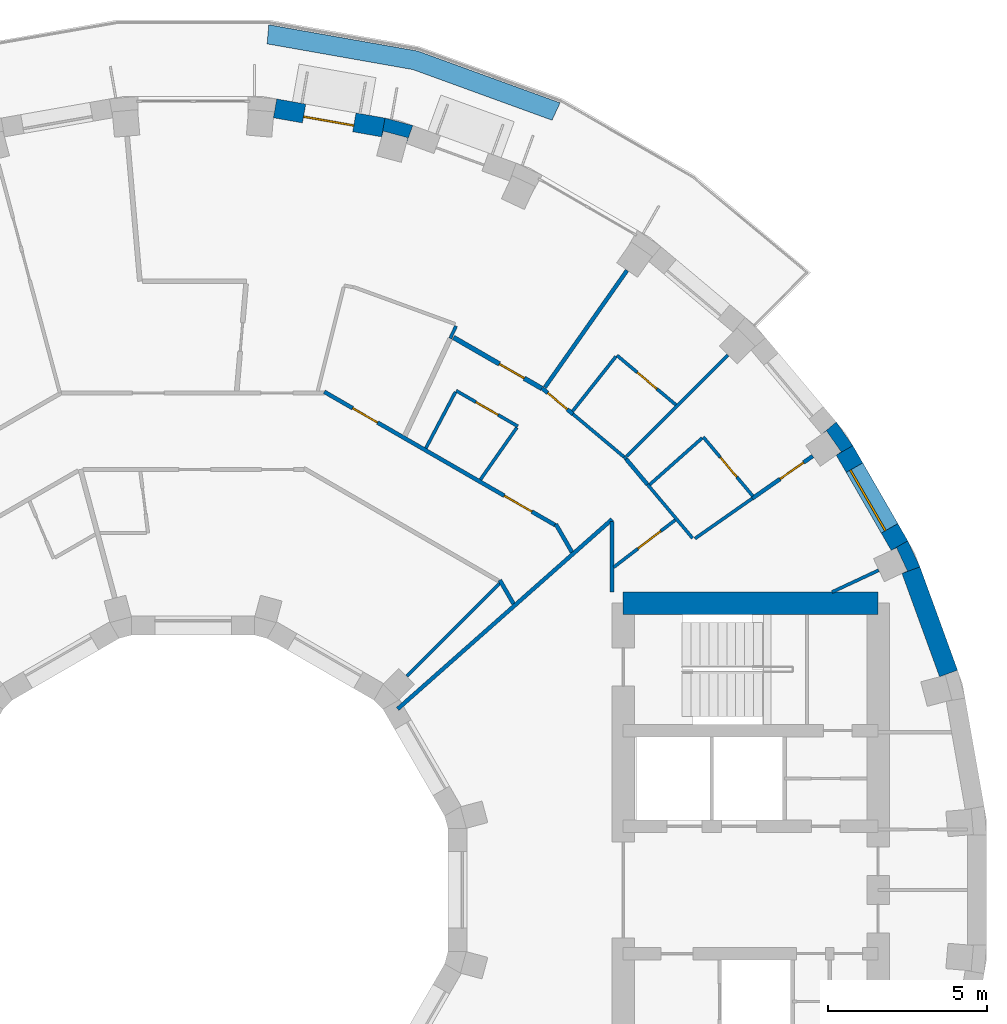
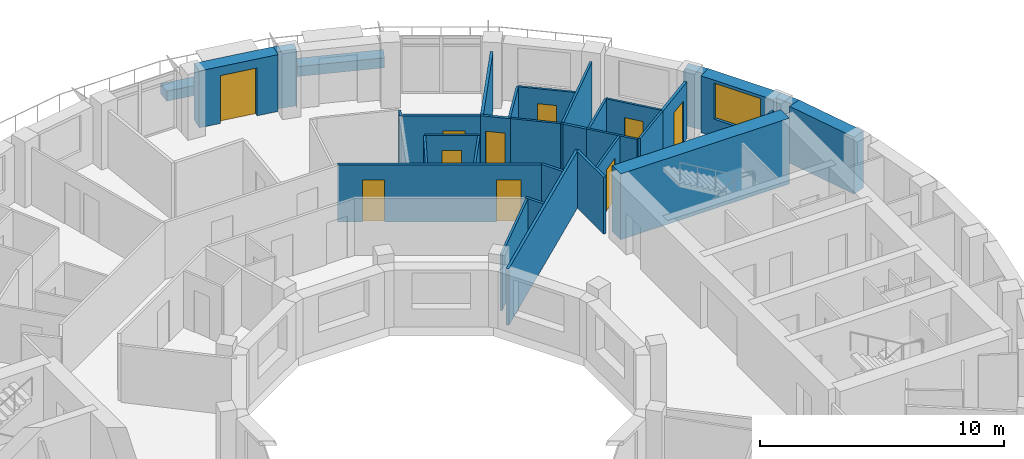
# One storey, part 11 of 13: 34 walls, 10 doors, 1 window, 11 openings.
"""IFC4 building model written with IfcOpenShell, lengths in metres."""

from ifc_helpers import new_model, si_unit, direction, frame, frame_2d, origin, place, context, subcontext, project, spatial, polyline, rectangle, outline, extrude, material, layer, layer_set, type_object, element, fill, save


model = new_model("IFC4")

# Units and contexts
model_context = context("Model", 3, precision=1e-05, world=origin(), true_north=direction((0.0, 1.0)))
body_context = subcontext(model_context, "Body", "Model", "MODEL_VIEW")
ifc_project = project(units=[si_unit("LENGTHUNIT", "METRE"), si_unit("AREAUNIT", "SQUARE_METRE"), si_unit("VOLUMEUNIT", "CUBIC_METRE"), si_unit("PLANEANGLEUNIT", "RADIAN"), si_unit("MASSUNIT", "GRAM", prefix="KILO")], contexts=[model_context])

# Site, building, storey
site_placement = place(None, origin())
site = spatial("IfcSite", under=ifc_project, at=site_placement, CompositionType="ELEMENT")
building_placement = place(site_placement, origin())
building = spatial("IfcBuilding", under=site, at=building_placement, Name="Saqina Gate Tower", CompositionType="ELEMENT")
storey_placement = place(building_placement, frame((0.0, 0.0, 200.39990234375)))
storey = spatial("IfcBuildingStorey", under=building, at=storey_placement, Name="L57", CompositionType="ELEMENT", Elevation=200.39990234375)

# Walls
ifc_material_1 = material(Name="Brick masonry (buff)", Category="masonry")
wall_type_1 = type_object("IfcWallType", Name="BRICK PIER COPING BUFF", PredefinedType="SOLIDWALL", material=ifc_material_1)
wall_1_placement = place(storey_placement, origin())
element("IfcWall", 1, at=wall_1_placement, inside=storey, type_object=wall_type_1, Name="Pier cap L57 column 3", PredefinedType="SOLIDWALL", context=body_context, shape_type="SweptSolid", body=[
    extrude(outline(polyline([(22.4306640625, 10.958740234375), (21.9111328125, 10.65869140625), (22.080810546875, 10.73779296875), (22.4189453125, 10.0126953125), (22.249267578125, 9.93359375), (22.81298828125, 10.138916015625), (22.4306640625, 10.958740234375)])), origin(), (0.0, 0.0, 1.0), 2.85009765625),
])
wall_2_placement = place(storey_placement, origin())
element("IfcWall", 2, at=wall_2_placement, inside=storey, type_object=wall_type_1, Name="Pier cap L57 column 4", PredefinedType="SOLIDWALL", context=body_context, shape_type="SweptSolid", body=[
    extrude(outline(polyline([(20.705810546875, 13.9462890625), (20.18701171875, 14.687255859375), (19.727294921875, 14.301513671875), (19.880859375, 14.408935546875), (20.339599609375, 13.753662109375), (20.186279296875, 13.646240234375), (20.705810546875, 13.9462890625)])), origin(), (0.0, 0.0, 1.0), 2.85009765625),
])
wall_3_placement = place(storey_placement, origin())
element("IfcWall", 3, at=wall_3_placement, inside=storey, type_object=wall_type_1, Name="Pier cap L57 column 8", PredefinedType="SOLIDWALL", context=body_context, shape_type="SweptSolid", body=[
    extrude(outline(polyline([(6.0234375, 24.22705078125), (5.919189453125, 23.635986328125), (5.967529296875, 23.81689453125), (6.740478515625, 23.610107421875), (6.69189453125, 23.428955078125), (6.897216796875, 23.992919921875), (6.0234375, 24.22705078125)])), origin(), (0.0, 0.0, 1.0), 2.85009765625),
])

# Wall, opening, window
ifc_material_2 = material(Name="Brick masonry (buff)", Category="masonry")
ifc_layer_1 = layer(ifc_material_2, 0.60009765625)
ifc_layer_set_1 = layer_set([ifc_layer_1], Name="FW-BRICK-BUFF")
wall_type_2 = type_object("IfcWallType", Name="FW-BRICK-BUFF", PredefinedType="SOLIDWALL", material=ifc_layer_set_1)
wall_4_placement = place(storey_placement, frame((22.1708984375, 10.80859375, 0.0), z_axis=(0.0, 0.0, 1.0), x_axis=(-0.499998129301, 0.86602648383, 0.0)))
wall_4 = element("IfcWall", 4, at=wall_4_placement, inside=storey, type_object=wall_type_2, Name="Facade wall L57 facet 3", PredefinedType="SOLIDWALL", context=body_context, shape_type="SweptSolid", body=[
    extrude(rectangle(XDim=3.44970703125, YDim=0.60009765625, at=frame_2d((1.724853515625, 0.0))), origin(), (0.0, 0.0, 1.0), 2.85009765625),
])
opening_1_placement = place(wall_4_placement, frame((0.625, 0.0, 0.89990234375)))
opening_1 = element("IfcOpeningElement", 5, at=opening_1_placement, cuts=wall_4, Name="Opening G17-W01", PredefinedType="OPENING", context=body_context, shape_type="SweptSolid", body=[
    extrude(rectangle(XDim=2.199951171875, YDim=1.800048828125, at=frame_2d((1.10009765625, 0.89990234375))), frame((0.0, 0.31201171875, 0.0), z_axis=(0.0, -1.0, 0.0), x_axis=(1.0, 0.0, 0.0)), (0.0, 0.0, 1.0), 0.6240234375),
])
ifc_material_3 = material(Name="Aluminium glazing", Category="aluminium")
window_type = type_object("IfcWindowType", Name="WN-C", PartitioningType="SINGLE_PANEL", PredefinedType="WINDOW", material=ifc_material_3)
window_placement = place(opening_1_placement, origin())
window = element("IfcWindow", 6, at=window_placement, inside=storey, type_object=window_type, Name="Window L57 facet 3", OverallHeight=1.800048828125, OverallWidth=2.199951171875, PartitioningType="SINGLE_PANEL", PredefinedType="WINDOW", context=body_context, shape_type="SweptSolid", body=[
    extrude(rectangle(XDim=2.199951171875, YDim=1.800048828125, at=frame_2d((1.10009765625, 0.89990234375))), frame((0.0, 0.179931640625, 0.0), z_axis=(0.0, -1.0, 0.0), x_axis=(1.0, 0.0, 0.0)), (0.0, 0.0, 1.0), 0.06005859375),
])
fill(opening_1, window)

# Wall, opening, door
wall_5_placement = place(storey_placement, frame((5.97119140625, 23.931640625, 0.0), z_axis=(0.0, 0.0, 1.0), x_axis=(-0.984814892183, 0.173607684551, 0.0)))
wall_5 = element("IfcWall", 7, at=wall_5_placement, inside=storey, type_object=wall_type_2, Name="Facade wall L57 facet 8", PredefinedType="SOLIDWALL", context=body_context, shape_type="SweptSolid", body=[
    extrude(rectangle(XDim=3.44970703125, YDim=0.60009765625, at=frame_2d((1.724853515625, 0.0))), origin(), (0.0, 0.0, 1.0), 2.85009765625),
])
opening_2_placement = place(wall_5_placement, frame((0.9248046875, 0.0, 0.0)))
opening_2 = element("IfcOpeningElement", 8, at=opening_2_placement, cuts=wall_5, Name="Opening G17-D81", PredefinedType="OPENING", context=body_context, shape_type="SweptSolid", body=[
    extrude(rectangle(XDim=1.60009765625, YDim=2.39990234375, at=frame_2d((0.800048828125, 1.199951171875))), frame((0.0, 0.31201171875, 0.0), z_axis=(0.0, -1.0, 0.0), x_axis=(1.0, 0.0, 0.0)), (0.0, 0.0, 1.0), 0.6240234375),
])
ifc_material_4 = material(Name="Aluminium glazing", Category="aluminium")
door_type_1 = type_object("IfcDoorType", Name="GD-C", OperationType="DOUBLE_DOOR_SINGLE_SWING", PredefinedType="DOOR", material=ifc_material_4)
door_1_placement = place(opening_2_placement, origin())
door_1 = element("IfcDoor", 9, at=door_1_placement, inside=storey, type_object=door_type_1, Name="Terrace door L57 facet 8", OperationType="DOUBLE_DOOR_SINGLE_SWING", OverallHeight=2.39990234375, OverallWidth=1.60009765625, PredefinedType="DOOR", context=body_context, shape_type="SweptSolid", body=[
    extrude(rectangle(XDim=1.60009765625, YDim=2.39990234375, at=frame_2d((0.800048828125, 1.199951171875))), frame((0.0, 0.125, 0.0), z_axis=(0.0, -1.0, 0.0), x_axis=(1.0, 0.0, 0.0)), (0.0, 0.0, 1.0), 0.050048828125),
])
fill(opening_2, door_1)

# Walls
ifc_material_5 = material(Name="Glazed ceramic tile", Category="ceramic")
ifc_layer_2 = layer(ifc_material_5, 0.60009765625)
ifc_layer_set_2 = layer_set([ifc_layer_2], Name="FW-TILE")
wall_type_3 = type_object("IfcWallType", Name="FW-TILE", PredefinedType="SOLIDWALL", material=ifc_layer_set_2)
wall_6_placement = place(storey_placement, frame((23.7109375, 6.79443359375, 0.0), z_axis=(0.0, 0.0, 1.0), x_axis=(-0.342032843455, 0.93968799822, 0.0)))
element("IfcWall", 10, at=wall_6_placement, inside=storey, type_object=wall_type_3, Name="Facade wall L57 facet 2", PredefinedType="SOLIDWALL", context=body_context, shape_type="SweptSolid", body=[
    extrude(rectangle(XDim=3.44970703125, YDim=0.60009765625, at=frame_2d((1.724853515625, 0.0))), origin(), (0.0, 0.0, 1.0), 2.85009765625),
])
ifc_material_6 = material(Name="Gypsum board on steel studs, 100 mm", Category="steel")
ifc_layer_3 = layer(ifc_material_6, 0.10009765625)
ifc_layer_set_3 = layer_set([ifc_layer_3], Name="PARTITION 100")
wall_type_4 = type_object("IfcWallType", Name="PARTITION 100", PredefinedType="PARTITIONING", material=ifc_layer_set_3)
wall_7_placement = place(storey_placement, frame((13.5283203125, 13.599853515625, 0.0), z_axis=(0.0, 0.0, 1.0), x_axis=(0.643986628051, -0.765036746106, 0.0)))
element("IfcWall", 11, at=wall_7_placement, inside=storey, type_object=wall_type_4, Name="PARTITION PW3-17", PredefinedType="PARTITIONING", context=body_context, shape_type="SweptSolid", body=[
    extrude(rectangle(XDim=0.100830078125, YDim=0.10009765625, at=frame_2d((0.05029296875, 0.0))), origin(), (0.0, 0.0, 1.0), 2.85009765625),
])
wall_8_placement = place(storey_placement, frame((14.26123046875, 12.7275390625, 0.0), z_axis=(0.0, 0.0, 1.0), x_axis=(0.643254486379, -0.76565244449, 0.0)))
element("IfcWall", 12, at=wall_8_placement, inside=storey, type_object=wall_type_4, Name="PARTITION PW3-18", PredefinedType="PARTITIONING", context=body_context, shape_type="SweptSolid", body=[
    extrude(rectangle(XDim=2.2021484375, YDim=0.10009765625, at=frame_2d((1.10107421875, 0.0))), origin(), (0.0, 0.0, 1.0), 2.85009765625),
])

# Wall, opening, door
wall_9_placement = place(storey_placement, frame((16.012939453125, 14.216064453125, 0.0), z_axis=(0.0, 0.0, 1.0), x_axis=(0.642879705086, -0.765967156468, 0.0)))
wall_9 = element("IfcWall", 13, at=wall_9_placement, inside=storey, type_object=wall_type_4, Name="PARTITION PW3-19", PredefinedType="PARTITIONING", context=body_context, shape_type="SweptSolid", body=[
    extrude(rectangle(XDim=2.419921875, YDim=0.10009765625, at=frame_2d((1.2099609375, 0.0))), origin(), (0.0, 0.0, 1.0), 2.85009765625),
])
opening_3_placement = place(wall_9_placement, frame((0.835205078125, 0.0, 0.0)))
opening_3 = element("IfcOpeningElement", 14, at=opening_3_placement, cuts=wall_9, Name="Opening G17-D03", PredefinedType="OPENING", context=body_context, shape_type="SweptSolid", body=[
    extrude(rectangle(XDim=0.800048828125, YDim=2.10009765625, at=frame_2d((0.39990234375, 1.050048828125))), frame((0.0, 0.06201171875, 0.0), z_axis=(0.0, -1.0, 0.0), x_axis=(1.0, 0.0, 0.0)), (0.0, 0.0, 1.0), 0.1240234375),
])
ifc_material_7 = material(Name="Timber door leaf, 800 mm", Category="wood")
door_type_2 = type_object("IfcDoorType", Name="DOOR 800 TIMBER", OperationType="SINGLE_SWING_LEFT", PredefinedType="DOOR", material=ifc_material_7)
door_2_placement = place(opening_3_placement, origin())
door_2 = element("IfcDoor", 15, at=door_2_placement, inside=storey, type_object=door_type_2, Name="DOOR G17-D03", OperationType="SINGLE_SWING_RIGHT", OverallHeight=2.10009765625, OverallWidth=0.800048828125, PredefinedType="DOOR", context=body_context, shape_type="SweptSolid", body=[
    extrude(rectangle(XDim=0.800048828125, YDim=2.10009765625, at=frame_2d((0.39990234375, 1.050048828125))), frame((0.0, 0.02490234375, 0.0), z_axis=(0.0, -1.0, 0.0), x_axis=(1.0, 0.0, 0.0)), (0.0, 0.0, 1.0), 0.050048828125),
])
fill(opening_3, door_2)

# Wall
wall_10_placement = place(storey_placement, frame((11.919921875, 14.93798828125, 0.0), z_axis=(0.0, 0.0, 1.0), x_axis=(0.766132236748, -0.6426829668, 0.0)))
element("IfcWall", 16, at=wall_10_placement, inside=storey, type_object=wall_type_4, Name="PARTITION PW3-24", PredefinedType="PARTITIONING", context=body_context, shape_type="SweptSolid", body=[
    extrude(rectangle(XDim=2.09228515625, YDim=0.10009765625, at=frame_2d((1.046142578125, 0.0))), origin(), (0.0, 0.0, 1.0), 2.85009765625),
])

# Wall, opening, door
wall_11_placement = place(storey_placement, frame((13.301025390625, 16.781005859375, 0.0), z_axis=(0.0, 0.0, 1.0), x_axis=(0.765959173968, -0.642889215817, 0.0)))
wall_11 = element("IfcWall", 17, at=wall_11_placement, inside=storey, type_object=wall_type_4, Name="PARTITION PW3-25", PredefinedType="PARTITIONING", context=body_context, shape_type="SweptSolid", body=[
    extrude(rectangle(XDim=2.420166015625, YDim=0.10009765625, at=frame_2d((1.2099609375, 0.0))), origin(), (0.0, 0.0, 1.0), 2.85009765625),
])
opening_4_placement = place(wall_11_placement, frame((0.835205078125, 0.0, 0.0)))
opening_4 = element("IfcOpeningElement", 18, at=opening_4_placement, cuts=wall_11, Name="Opening G17-D04", PredefinedType="OPENING", context=body_context, shape_type="SweptSolid", body=[
    extrude(rectangle(XDim=0.800048828125, YDim=2.10009765625, at=frame_2d((0.39990234375, 1.050048828125))), frame((0.0, 0.06201171875, 0.0), z_axis=(0.0, -1.0, 0.0), x_axis=(1.0, 0.0, 0.0)), (0.0, 0.0, 1.0), 0.1240234375),
])
door_3_placement = place(opening_4_placement, origin())
door_3 = element("IfcDoor", 19, at=door_3_placement, inside=storey, type_object=door_type_2, Name="DOOR G17-D04", OperationType="SINGLE_SWING_RIGHT", OverallHeight=2.10009765625, OverallWidth=0.800048828125, PredefinedType="DOOR", context=body_context, shape_type="SweptSolid", body=[
    extrude(rectangle(XDim=0.800048828125, YDim=2.10009765625, at=frame_2d((0.39990234375, 1.050048828125))), frame((0.0, 0.02490234375, 0.0), z_axis=(0.0, -1.0, 0.0), x_axis=(1.0, 0.0, 0.0)), (0.0, 0.0, 1.0), 0.050048828125),
])
fill(opening_4, door_3)

wall_12_placement = place(storey_placement, frame((8.257080078125, 15.6708984375, 0.0), z_axis=(0.0, 0.0, 1.0), x_axis=(0.86593977979, -0.500148275791, 0.0)))
wall_12 = element("IfcWall", 20, at=wall_12_placement, inside=storey, type_object=wall_type_4, Name="PARTITION PW3-29", PredefinedType="PARTITIONING", context=body_context, shape_type="SweptSolid", body=[
    extrude(rectangle(XDim=2.233154296875, YDim=0.10009765625, at=frame_2d((1.11669921875, 0.0))), origin(), (0.0, 0.0, 1.0), 2.85009765625),
])
opening_5_placement = place(wall_12_placement, frame((0.716796875, 0.0, 0.0)))
opening_5 = element("IfcOpeningElement", 21, at=opening_5_placement, cuts=wall_12, Name="Opening G17-D08", PredefinedType="OPENING", context=body_context, shape_type="SweptSolid", body=[
    extrude(rectangle(XDim=0.800048828125, YDim=2.10009765625, at=frame_2d((0.39990234375, 1.050048828125))), frame((0.0, 0.06201171875, 0.0), z_axis=(0.0, -1.0, 0.0), x_axis=(1.0, 0.0, 0.0)), (0.0, 0.0, 1.0), 0.1240234375),
])
door_4_placement = place(opening_5_placement, origin())
door_4 = element("IfcDoor", 22, at=door_4_placement, inside=storey, type_object=door_type_2, Name="DOOR G17-D08", OperationType="SINGLE_SWING_RIGHT", OverallHeight=2.10009765625, OverallWidth=0.800048828125, PredefinedType="DOOR", context=body_context, shape_type="SweptSolid", body=[
    extrude(rectangle(XDim=0.800048828125, YDim=2.10009765625, at=frame_2d((0.39990234375, 1.050048828125))), frame((0.0, 0.02490234375, 0.0), z_axis=(0.0, -1.0, 0.0), x_axis=(1.0, 0.0, 0.0)), (0.0, 0.0, 1.0), 0.050048828125),
])
fill(opening_5, door_4)

# Walls
wall_13_placement = place(storey_placement, frame((20.052978515625, 9.35009765625, 0.0), z_axis=(0.0, 0.0, 1.0), x_axis=(0.906055596822, 0.423158664648, 0.0)))
element("IfcWall", 23, at=wall_13_placement, inside=storey, type_object=wall_type_4, Name="PARTITION PW3-41", PredefinedType="PARTITIONING", context=body_context, shape_type="SweptSolid", body=[
    extrude(rectangle(XDim=1.6142578125, YDim=0.10009765625, at=frame_2d((0.80712890625, 0.0))), origin(), (0.0, 0.0, 1.0), 2.85009765625),
])
wall_14_placement = place(storey_placement, frame((15.7509765625, 11.028564453125, 0.0), z_axis=(0.0, 0.0, 1.0), x_axis=(0.819158790137, 0.573566802161, 0.0)))
element("IfcWall", 24, at=wall_14_placement, inside=storey, type_object=wall_type_4, Name="PARTITION PW3-47", PredefinedType="PARTITIONING", context=body_context, shape_type="SweptSolid", body=[
    extrude(rectangle(XDim=2.196044921875, YDim=0.10009765625, at=frame_2d((1.09814453125, 0.0))), origin(), (0.0, 0.0, 1.0), 2.85009765625),
])

# Wall, opening, door
wall_15_placement = place(storey_placement, frame((13.200439453125, 10.12890625, 0.0), z_axis=(0.0, 0.0, 1.0), x_axis=(0.793343125349, 0.608774741149, 0.0)))
wall_15 = element("IfcWall", 25, at=wall_15_placement, inside=storey, type_object=wall_type_4, Name="PARTITION PW3-48", PredefinedType="PARTITIONING", context=body_context, shape_type="SweptSolid", body=[
    extrude(rectangle(XDim=2.433837890625, YDim=0.10009765625, at=frame_2d((1.216796875, 0.0))), origin(), (0.0, 0.0, 1.0), 2.85009765625),
])
opening_6_placement = place(wall_15_placement, frame((0.960693359375, 0.0, 0.0)))
opening_6 = element("IfcOpeningElement", 26, at=opening_6_placement, cuts=wall_15, Name="Opening G17-D02", PredefinedType="OPENING", context=body_context, shape_type="SweptSolid", body=[
    extrude(rectangle(XDim=0.89990234375, YDim=2.10009765625, at=frame_2d((0.449951171875, 1.050048828125))), frame((0.0, 0.06201171875, 0.0), z_axis=(0.0, -1.0, 0.0), x_axis=(1.0, 0.0, 0.0)), (0.0, 0.0, 1.0), 0.1240234375),
])
ifc_material_8 = material(Name="Timber door leaf, 900 mm", Category="wood")
door_type_3 = type_object("IfcDoorType", Name="DOOR 900 TIMBER", OperationType="SINGLE_SWING_LEFT", PredefinedType="DOOR", material=ifc_material_8)
door_5_placement = place(opening_6_placement, frame((0.89990234375, 0.0, 0.0), z_axis=(0.0, 0.0, 1.0), x_axis=(-1.0, 0.0, 0.0)))
door_5 = element("IfcDoor", 27, at=door_5_placement, inside=storey, type_object=door_type_3, Name="DOOR G17-D02", OperationType="SINGLE_SWING_LEFT", OverallHeight=2.10009765625, OverallWidth=0.89990234375, PredefinedType="DOOR", context=body_context, shape_type="SweptSolid", body=[
    extrude(rectangle(XDim=0.89990234375, YDim=2.10009765625, at=frame_2d((0.449951171875, 1.050048828125))), frame((0.0, 0.02490234375, 0.0), z_axis=(0.0, -1.0, 0.0), x_axis=(1.0, 0.0, 0.0)), (0.0, 0.0, 1.0), 0.050048828125),
])
fill(opening_6, door_5)

# Walls
wall_16_placement = place(storey_placement, frame((14.330322265625, 12.72216796875, 0.0), z_axis=(0.0, 0.0, 1.0), x_axis=(0.747807135499, 0.663916024883, 0.0)))
element("IfcWall", 28, at=wall_16_placement, inside=storey, type_object=wall_type_4, Name="PARTITION PW3-51", PredefinedType="PARTITIONING", context=body_context, shape_type="SweptSolid", body=[
    extrude(rectangle(XDim=2.2001953125, YDim=0.10009765625, at=frame_2d((1.10009765625, 0.0))), origin(), (0.0, 0.0, 1.0), 2.85009765625),
])
wall_17_placement = place(storey_placement, frame((6.7119140625, 6.7119140625, 0.0), z_axis=(0.0, 0.0, 1.0), x_axis=(0.707106781187, 0.707106781187, 0.0)))
element("IfcWall", 29, at=wall_17_placement, inside=storey, type_object=wall_type_4, Name="PARTITION PW3-52", PredefinedType="PARTITIONING", context=body_context, shape_type="SweptSolid", body=[
    extrude(rectangle(XDim=4.111083984375, YDim=0.10009765625, at=frame_2d((2.0556640625, 0.0))), origin(), (0.0, 0.0, 1.0), 2.85009765625),
])
wall_18_placement = place(storey_placement, frame((13.605224609375, 13.605224609375, 0.0), z_axis=(0.0, 0.0, 1.0), x_axis=(0.707106781187, 0.707106781187, 0.0)))
element("IfcWall", 30, at=wall_18_placement, inside=storey, type_object=wall_type_4, Name="PARTITION PW3-53", PredefinedType="PARTITIONING", context=body_context, shape_type="SweptSolid", body=[
    extrude(rectangle(XDim=4.499267578125, YDim=0.10009765625, at=frame_2d((2.24951171875, 0.0))), origin(), (0.0, 0.0, 1.0), 2.85009765625),
])
wall_19_placement = place(storey_placement, frame((11.910888671875, 15.027099609375, 0.0), z_axis=(0.0, 0.0, 1.0), x_axis=(0.621191557247, 0.783658758137, 0.0)))
element("IfcWall", 31, at=wall_19_placement, inside=storey, type_object=wall_type_4, Name="PARTITION PW3-54", PredefinedType="PARTITIONING", context=body_context, shape_type="SweptSolid", body=[
    extrude(rectangle(XDim=2.18798828125, YDim=0.10009765625, at=frame_2d((1.093994140625, 0.0))), origin(), (0.0, 0.0, 1.0), 2.85009765625),
])
wall_20_placement = place(storey_placement, frame((9.017822265625, 12.879150390625, 0.0), z_axis=(0.0, 0.0, 1.0), x_axis=(0.573758011137, 0.81902487426, 0.0)))
element("IfcWall", 32, at=wall_20_placement, inside=storey, type_object=wall_type_4, Name="PARTITION PW3-55", PredefinedType="PARTITIONING", context=body_context, shape_type="SweptSolid", body=[
    extrude(rectangle(XDim=1.994873046875, YDim=0.10009765625, at=frame_2d((0.99755859375, 0.0))), origin(), (0.0, 0.0, 1.0), 2.85009765625),
])
wall_21_placement = place(storey_placement, frame((7.30615234375, 13.8671875, 0.0), z_axis=(0.0, 0.0, 1.0), x_axis=(0.466307877011, 0.884622497926, 0.0)))
element("IfcWall", 33, at=wall_21_placement, inside=storey, type_object=wall_type_4, Name="PARTITION PW3-61", PredefinedType="PARTITIONING", context=body_context, shape_type="SweptSolid", body=[
    extrude(rectangle(XDim=1.989013671875, YDim=0.10009765625, at=frame_2d((0.99462890625, 0.0))), origin(), (0.0, 0.0, 1.0), 2.85009765625),
])
wall_22_placement = place(storey_placement, frame((8.072021484375, 17.313720703125, 0.0), z_axis=(0.0, 0.0, 1.0), x_axis=(0.424639138258, 0.905362691003, 0.0)))
element("IfcWall", 34, at=wall_22_placement, inside=storey, type_object=wall_type_4, Name="PARTITION PW3-62", PredefinedType="PARTITIONING", context=body_context, shape_type="SweptSolid", body=[
    extrude(rectangle(XDim=0.426513671875, YDim=0.10009765625, at=frame_2d((0.21337890625, 0.0))), origin(), (0.0, 0.0, 1.0), 2.85009765625),
])
ifc_material_9 = material(Name="Gypsum board on steel studs, 125 mm, fire rated", Category="steel")
ifc_layer_4 = layer(ifc_material_9, 0.125)
ifc_layer_set_4 = layer_set([ifc_layer_4], Name="PARTITION EI 30 125")
wall_type_5 = type_object("IfcWallType", Name="PARTITION EI 30 125", PredefinedType="PARTITIONING", material=ifc_layer_set_4)
wall_23_placement = place(storey_placement, frame((9.62548828125, 9.727783203125, 0.0), z_axis=(0.0, 0.0, 1.0), x_axis=(0.500456591983, -0.865761629746, 0.0)))
element("IfcWall", 35, at=wall_23_placement, inside=storey, type_object=wall_type_5, Name="PARTITION PW1-04", PredefinedType="PARTITIONING", context=body_context, shape_type="SweptSolid", body=[
    extrude(rectangle(XDim=0.863525390625, YDim=0.125, at=frame_2d((0.431640625, 0.0))), origin(), (0.0, 0.0, 1.0), 2.85009765625),
])
wall_24_placement = place(storey_placement, frame((11.3837890625, 11.482421875, 0.0), z_axis=(0.0, 0.0, 1.0), x_axis=(0.500249562609, -0.865881270792, 0.0)))
element("IfcWall", 36, at=wall_24_placement, inside=storey, type_object=wall_type_5, Name="PARTITION PW1-05", PredefinedType="PARTITIONING", context=body_context, shape_type="SweptSolid", body=[
    extrude(rectangle(XDim=1.015625, YDim=0.125, at=frame_2d((0.5078125, 0.0))), origin(), (0.0, 0.0, 1.0), 2.85009765625),
])
wall_25_placement = place(storey_placement, frame((13.59326171875, 13.522705078125, 0.0), z_axis=(0.0, 0.0, 1.0), x_axis=(0.642817053057, -0.766019736233, 0.0)))
element("IfcWall", 37, at=wall_25_placement, inside=storey, type_object=wall_type_5, Name="PARTITION PW1-06", PredefinedType="PARTITIONING", context=body_context, shape_type="SweptSolid", body=[
    extrude(rectangle(XDim=1.038330078125, YDim=0.125, at=frame_2d((0.51904296875, 0.0))), origin(), (0.0, 0.0, 1.0), 2.85009765625),
])

# Wall, opening, door
wall_26_placement = place(storey_placement, frame((10.951416015625, 15.750732421875, 0.0), z_axis=(0.0, 0.0, 1.0), x_axis=(0.76592162119, -0.642933954768, 0.0)))
wall_26 = element("IfcWall", 38, at=wall_26_placement, inside=storey, type_object=wall_type_5, Name="PARTITION PW1-12", PredefinedType="PARTITIONING", context=body_context, shape_type="SweptSolid", body=[
    extrude(rectangle(XDim=1.264404296875, YDim=0.125, at=frame_2d((0.63232421875, 0.0))), origin(), (0.0, 0.0, 1.0), 2.85009765625),
])
opening_7_placement = place(wall_26_placement, frame((0.232666015625, 0.0, 0.0)))
opening_7 = element("IfcOpeningElement", 39, at=opening_7_placement, cuts=wall_26, Name="Opening G17-D06", PredefinedType="OPENING", context=body_context, shape_type="SweptSolid", body=[
    extrude(rectangle(XDim=0.800048828125, YDim=2.10009765625, at=frame_2d((0.39990234375, 1.050048828125))), frame((0.0, 0.074462890625, 0.0), z_axis=(0.0, -1.0, 0.0), x_axis=(1.0, 0.0, 0.0)), (0.0, 0.0, 1.0), 0.14892578125),
])
ifc_material_10 = material(Name="Fire door leaf EI 30, 800 mm")
door_type_4 = type_object("IfcDoorType", Name="DOOR 800 EI 30", OperationType="SINGLE_SWING_LEFT", PredefinedType="DOOR", material=ifc_material_10)
door_6_placement = place(opening_7_placement, frame((0.800048828125, 0.0, 0.0), z_axis=(0.0, 0.0, 1.0), x_axis=(-1.0, 0.0, 0.0)))
door_6 = element("IfcDoor", 40, at=door_6_placement, inside=storey, type_object=door_type_4, Name="DOOR G17-D06", OperationType="SINGLE_SWING_RIGHT", OverallHeight=2.10009765625, OverallWidth=0.800048828125, PredefinedType="DOOR", context=body_context, shape_type="SweptSolid", body=[
    extrude(rectangle(XDim=0.800048828125, YDim=2.10009765625, at=frame_2d((0.39990234375, 1.050048828125))), frame((0.0, 0.02490234375, 0.0), z_axis=(0.0, -1.0, 0.0), x_axis=(1.0, 0.0, 0.0)), (0.0, 0.0, 1.0), 0.050048828125),
])
fill(opening_7, door_6)

# Wall, openings, doors
wall_27_placement = place(storey_placement, frame((4.117431640625, 15.635986328125, 0.0), z_axis=(0.0, 0.0, 1.0), x_axis=(0.866032091518, -0.499988416326, 0.0)))
wall_27 = element("IfcWall", 41, at=wall_27_placement, inside=storey, type_object=wall_type_5, Name="PARTITION PW1-18", PredefinedType="PARTITIONING", context=body_context, shape_type="SweptSolid", body=[
    extrude(rectangle(XDim=8.369873046875, YDim=0.125, at=frame_2d((4.18505859375, 0.0))), origin(), (0.0, 0.0, 1.0), 2.85009765625),
])
opening_8_placement = place(wall_27_placement, frame((6.5244140625, 0.0, 0.0)))
opening_8 = element("IfcOpeningElement", 42, at=opening_8_placement, cuts=wall_27, Name="Opening G17-D05", PredefinedType="OPENING", context=body_context, shape_type="SweptSolid", body=[
    extrude(rectangle(XDim=1.0, YDim=2.10009765625, at=frame_2d((0.5, 1.050048828125))), frame((0.0, 0.074462890625, 0.0), z_axis=(0.0, -1.0, 0.0), x_axis=(1.0, 0.0, 0.0)), (0.0, 0.0, 1.0), 0.14892578125),
])
opening_9_placement = place(wall_27_placement, frame((1.02978515625, 0.0, 0.0)))
opening_9 = element("IfcOpeningElement", 43, at=opening_9_placement, cuts=wall_27, Name="Opening G17-D09", PredefinedType="OPENING", context=body_context, shape_type="SweptSolid", body=[
    extrude(rectangle(XDim=0.89990234375, YDim=2.10009765625, at=frame_2d((0.449951171875, 1.050048828125))), frame((0.0, 0.074462890625, 0.0), z_axis=(0.0, -1.0, 0.0), x_axis=(1.0, 0.0, 0.0)), (0.0, 0.0, 1.0), 0.14892578125),
])
ifc_material_11 = material(Name="Fire door leaf EI 30, 1000 mm")
door_type_5 = type_object("IfcDoorType", Name="DOOR 1000 EI 30", OperationType="SINGLE_SWING_LEFT", PredefinedType="DOOR", material=ifc_material_11)
door_7_placement = place(opening_8_placement, origin())
door_7 = element("IfcDoor", 44, at=door_7_placement, inside=storey, type_object=door_type_5, Name="DOOR G17-D05", OperationType="SINGLE_SWING_RIGHT", OverallHeight=2.10009765625, OverallWidth=1.0, PredefinedType="DOOR", context=body_context, shape_type="SweptSolid", body=[
    extrude(rectangle(XDim=1.0, YDim=2.10009765625, at=frame_2d((0.5, 1.050048828125))), frame((0.0, 0.02490234375, 0.0), z_axis=(0.0, -1.0, 0.0), x_axis=(1.0, 0.0, 0.0)), (0.0, 0.0, 1.0), 0.050048828125),
])
fill(opening_8, door_7)
ifc_material_12 = material(Name="Fire door leaf EI 30, 900 mm")
door_type_6 = type_object("IfcDoorType", Name="DOOR 900 EI 30", OperationType="SINGLE_SWING_LEFT", PredefinedType="DOOR", material=ifc_material_12)
door_8_placement = place(opening_9_placement, origin())
door_8 = element("IfcDoor", 45, at=door_8_placement, inside=storey, type_object=door_type_6, Name="DOOR G17-D09", OperationType="SINGLE_SWING_LEFT", OverallHeight=2.10009765625, OverallWidth=0.89990234375, PredefinedType="DOOR", context=body_context, shape_type="SweptSolid", body=[
    extrude(rectangle(XDim=0.89990234375, YDim=2.10009765625, at=frame_2d((0.449951171875, 1.050048828125))), frame((0.0, 0.02490234375, 0.0), z_axis=(0.0, -1.0, 0.0), x_axis=(1.0, 0.0, 0.0)), (0.0, 0.0, 1.0), 0.050048828125),
])
fill(opening_9, door_8)

# Wall, opening, door
wall_28_placement = place(storey_placement, frame((17.5498046875, 12.2880859375, 0.0), z_axis=(0.0, 0.0, 1.0), x_axis=(0.818914823112, 0.573915074282, 0.0)))
wall_28 = element("IfcWall", 46, at=wall_28_placement, inside=storey, type_object=wall_type_5, Name="PARTITION PW1-33", PredefinedType="PARTITIONING", context=body_context, shape_type="SweptSolid", body=[
    extrude(rectangle(XDim=2.31591796875, YDim=0.125, at=frame_2d((1.157958984375, 0.0))), origin(), (0.0, 0.0, 1.0), 2.85009765625),
])
opening_10_placement = place(wall_28_placement, frame((1.06787109375, 0.0, 0.0)))
opening_10 = element("IfcOpeningElement", 47, at=opening_10_placement, cuts=wall_28, Name="Opening G17-D01", PredefinedType="OPENING", context=body_context, shape_type="SweptSolid", body=[
    extrude(rectangle(XDim=0.89990234375, YDim=2.10009765625, at=frame_2d((0.449951171875, 1.050048828125))), frame((0.0, 0.074462890625, 0.0), z_axis=(0.0, -1.0, 0.0), x_axis=(1.0, 0.0, 0.0)), (0.0, 0.0, 1.0), 0.14892578125),
])
door_9_placement = place(opening_10_placement, frame((0.89990234375, 0.0, 0.0), z_axis=(0.0, 0.0, 1.0), x_axis=(-1.0, 0.0, 0.0)))
door_9 = element("IfcDoor", 48, at=door_9_placement, inside=storey, type_object=door_type_6, Name="DOOR G17-D01", OperationType="SINGLE_SWING_LEFT", OverallHeight=2.10009765625, OverallWidth=0.89990234375, PredefinedType="DOOR", context=body_context, shape_type="SweptSolid", body=[
    extrude(rectangle(XDim=0.89990234375, YDim=2.10009765625, at=frame_2d((0.449951171875, 1.050048828125))), frame((0.0, 0.02490234375, 0.0), z_axis=(0.0, -1.0, 0.0), x_axis=(1.0, 0.0, 0.0)), (0.0, 0.0, 1.0), 0.050048828125),
])
fill(opening_10, door_9)

# Walls
wall_29_placement = place(storey_placement, frame((6.419921875, 5.679931640625, 0.0), z_axis=(0.0, 0.0, 1.0), x_axis=(0.748960259926, 0.662614917619, 0.0)))
element("IfcWall", 49, at=wall_29_placement, inside=storey, type_object=wall_type_5, Name="PARTITION PW1-38", PredefinedType="PARTITIONING", context=body_context, shape_type="SweptSolid", body=[
    extrude(rectangle(XDim=8.98583984375, YDim=0.125, at=frame_2d((4.492919921875, 0.0))), origin(), (0.0, 0.0, 1.0), 2.85009765625),
])
wall_30_placement = place(storey_placement, frame((11.0419921875, 15.776611328125, 0.0), z_axis=(0.0, 0.0, 1.0), x_axis=(0.574967193178, 0.818176464321, 0.0)))
element("IfcWall", 50, at=wall_30_placement, inside=storey, type_object=wall_type_5, Name="PARTITION PW1-39", PredefinedType="PARTITIONING", context=body_context, shape_type="SweptSolid", body=[
    extrude(rectangle(XDim=4.483154296875, YDim=0.125, at=frame_2d((2.24169921875, 0.0))), origin(), (0.0, 0.0, 1.0), 2.85009765625),
])
wall_31_placement = place(storey_placement, frame((13.14990234375, 9.35107421875, 0.0), z_axis=(0.0, 0.0, 1.0), x_axis=(0.0, 1.0, 0.0)))
element("IfcWall", 51, at=wall_31_placement, inside=storey, type_object=wall_type_5, Name="PARTITION PW1-47", PredefinedType="PARTITIONING", context=body_context, shape_type="SweptSolid", body=[
    extrude(rectangle(XDim=2.220458984375, YDim=0.125, at=frame_2d((1.1103515625, 0.0))), origin(), (0.0, 0.0, 1.0), 2.85009765625),
])

# Wall, opening, door
ifc_material_13 = material(Name="Gypsum board on steel studs, 150 mm, fire rated", Category="steel")
ifc_layer_5 = layer(ifc_material_13, 0.14990234375)
ifc_layer_set_5 = layer_set([ifc_layer_5], Name="PARTITION EI 60 150")
wall_type_6 = type_object("IfcWallType", Name="PARTITION EI 60 150", PredefinedType="PARTITIONING", material=ifc_layer_set_5)
wall_32_placement = place(storey_placement, frame((8.171875, 17.34228515625, 0.0), z_axis=(0.0, 0.0, 1.0), x_axis=(0.866086584464, -0.499894016979, 0.0)))
wall_32 = element("IfcWall", 52, at=wall_32_placement, inside=storey, type_object=wall_type_6, Name="PARTITION PW2-03", PredefinedType="PARTITIONING", context=body_context, shape_type="SweptSolid", body=[
    extrude(rectangle(XDim=3.202880859375, YDim=0.14990234375, at=frame_2d((1.6015625, 0.0))), origin(), (0.0, 0.0, 1.0), 2.85009765625),
])
opening_11_placement = place(wall_32_placement, frame((1.663818359375, 0.0, 0.0)))
opening_11 = element("IfcOpeningElement", 53, at=opening_11_placement, cuts=wall_32, Name="Opening G17-D07", PredefinedType="OPENING", context=body_context, shape_type="SweptSolid", body=[
    extrude(rectangle(XDim=0.89990234375, YDim=2.10009765625, at=frame_2d((0.449951171875, 1.050048828125))), frame((0.0, 0.0869140625, 0.0), z_axis=(0.0, -1.0, 0.0), x_axis=(1.0, 0.0, 0.0)), (0.0, 0.0, 1.0), 0.173828125),
])
door_10_placement = place(opening_11_placement, origin())
door_10 = element("IfcDoor", 54, at=door_10_placement, inside=storey, type_object=door_type_6, Name="DOOR G17-D07", OperationType="SINGLE_SWING_RIGHT", OverallHeight=2.10009765625, OverallWidth=0.89990234375, PredefinedType="DOOR", context=body_context, shape_type="SweptSolid", body=[
    extrude(rectangle(XDim=0.89990234375, YDim=2.10009765625, at=frame_2d((0.449951171875, 1.050048828125))), frame((0.0, 0.02490234375, 0.0), z_axis=(0.0, -1.0, 0.0), x_axis=(1.0, 0.0, 0.0)), (0.0, 0.0, 1.0), 0.050048828125),
])
fill(opening_11, door_10)

# Walls
ifc_material_14 = material(Name="Brick masonry (red)", Category="masonry")
ifc_layer_6 = layer(ifc_material_14, 0.60009765625)
ifc_layer_set_6 = layer_set([ifc_layer_6], Name="PL-PLANTER")
wall_type_7 = type_object("IfcWallType", Name="PL-PLANTER", PredefinedType="PARAPET", material=ifc_layer_set_6)
wall_33_placement = place(storey_placement, origin())
element("IfcWall", 55, at=wall_33_placement, inside=storey, type_object=wall_type_7, Name="Planter L57", PredefinedType="PARAPET", context=body_context, shape_type="SweptSolid", body=[
    extrude(outline(polyline([(11.52001953125, 24.70458984375), (7.054931640625, 26.329833984375), (2.375732421875, 27.15478515625), (2.3232421875, 26.554931640625), (6.899169921875, 25.748046875), (11.265380859375, 24.15869140625), (11.52001953125, 24.70458984375)])), origin(), (0.0, 0.0, 1.0), 0.5),
])
ifc_material_15 = material(Name="Concrete C60/75", Category="concrete")
ifc_layer_7 = layer(ifc_material_15, 0.699951171875)
ifc_layer_set_7 = layer_set([ifc_layer_7], Name="Concrete C60/75")
wall_type_8 = type_object("IfcWallType", Name="STR-CORE WALL-C-O", PredefinedType="SHEAR", material=ifc_layer_set_7)
wall_34_placement = place(storey_placement, frame((13.5, 9.0, 0.0), z_axis=(0.0, 0.0, 1.0), x_axis=(1.0, 0.0, 0.0)))
element("IfcWall", 56, at=wall_34_placement, inside=storey, type_object=wall_type_8, Name="CORE WALL L57 E-NE", PredefinedType="SHEAR", context=body_context, shape_type="SweptSolid", body=[
    extrude(rectangle(XDim=8.0, YDim=0.699951171875, at=frame_2d((4.0, 0.0))), origin(), (0.0, 0.0, 1.0), 3.300048828125),
])

save(model, "model.ifc")
